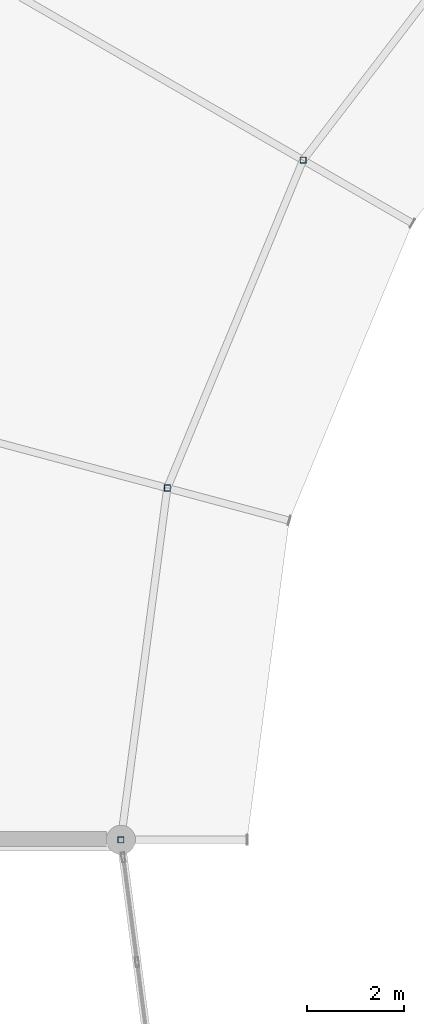
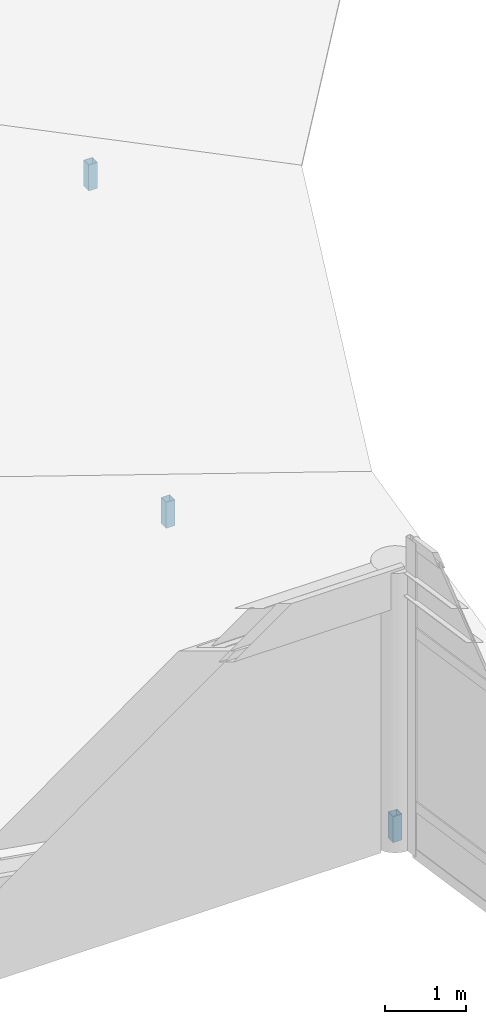
# One storey, part 64 of 93: 3 members.
"""IFC4 building model written with IfcOpenShell, lengths in metres."""

from ifc_helpers import new_model, si_unit, direction, frame, origin, origin_2d, place, context, subcontext, project, spatial, hollow_rectangle, extrude, material, material_profile, profile_set, type_object, element, save


model = new_model("IFC4")

# Units and contexts
model_context = context("Model", 3, precision=1e-05, world=origin(), true_north=direction((0.0, 1.0)))
body_context = subcontext(model_context, "Body", "Model", "MODEL_VIEW")
ifc_project = project(units=[si_unit("LENGTHUNIT", "METRE"), si_unit("AREAUNIT", "SQUARE_METRE"), si_unit("VOLUMEUNIT", "CUBIC_METRE"), si_unit("PLANEANGLEUNIT", "RADIAN"), si_unit("MASSUNIT", "GRAM", prefix="KILO")], contexts=[model_context])

# Site, building, storey
site_placement = place(None, origin())
site = spatial("IfcSite", under=ifc_project, at=site_placement, CompositionType="ELEMENT")
building_placement = place(site_placement, origin())
building = spatial("IfcBuilding", under=site, at=building_placement, Name="Vondelvale Polytechnic", CompositionType="ELEMENT")
storey_placement = place(building_placement, frame((0.0, 0.0, 18.0)))
storey = spatial("IfcBuildingStorey", under=building, at=storey_placement, Name="L04", CompositionType="ELEMENT", Elevation=18.0)

# Members
ifc_material = material(Name="Steel C350L0 (fy = 350 MPa)", Category="steel")
ifc_material_profile = material_profile(ifc_material, hollow_rectangle(XDim=0.125, YDim=0.125, WallThickness=0.006103515625, at=origin_2d()), Name="125x125x6.0SHS")
ifc_profile_set = profile_set([ifc_material_profile], Name="Steel C350L0 (fy = 350 MPa)")
member_type = type_object("IfcMemberType", Name="ROOF TRUSS POST 125SHS", PredefinedType="POST", material=ifc_profile_set)
for number, where, z_axis, x_axis, name in (
    (1, (77.751220703125, 86.0, 0.0), (0.0, 0.0, 1.0), (1.0, 0.0, 0.0), "Ring inner eave post 10"),
    (2, (74.9541015625, 79.246826171875, 0.0), (0.0, 0.0, 1.0), (1.0, 0.0, 0.0), "Ring inner eave post 11"),
    (3, (74.0, 72.0, 0.0), (0.0, 0.0, 1.0), (1.0, 0.0, 0.0), "Ring step inner roof post 11"),
):
    element("IfcMember", number, at=place(storey_placement, frame(where, z_axis=z_axis, x_axis=x_axis)), inside=storey, type_object=member_type, Name=name, PredefinedType="POST", context=body_context, shape_type="SweptSolid", body=[
        extrude(hollow_rectangle(XDim=0.125, YDim=0.125, WallThickness=0.006103515625, at=origin_2d()), origin(), (0.0, 0.0, 1.0), 0.3916015625),
    ])

save(model, "model.ifc")
